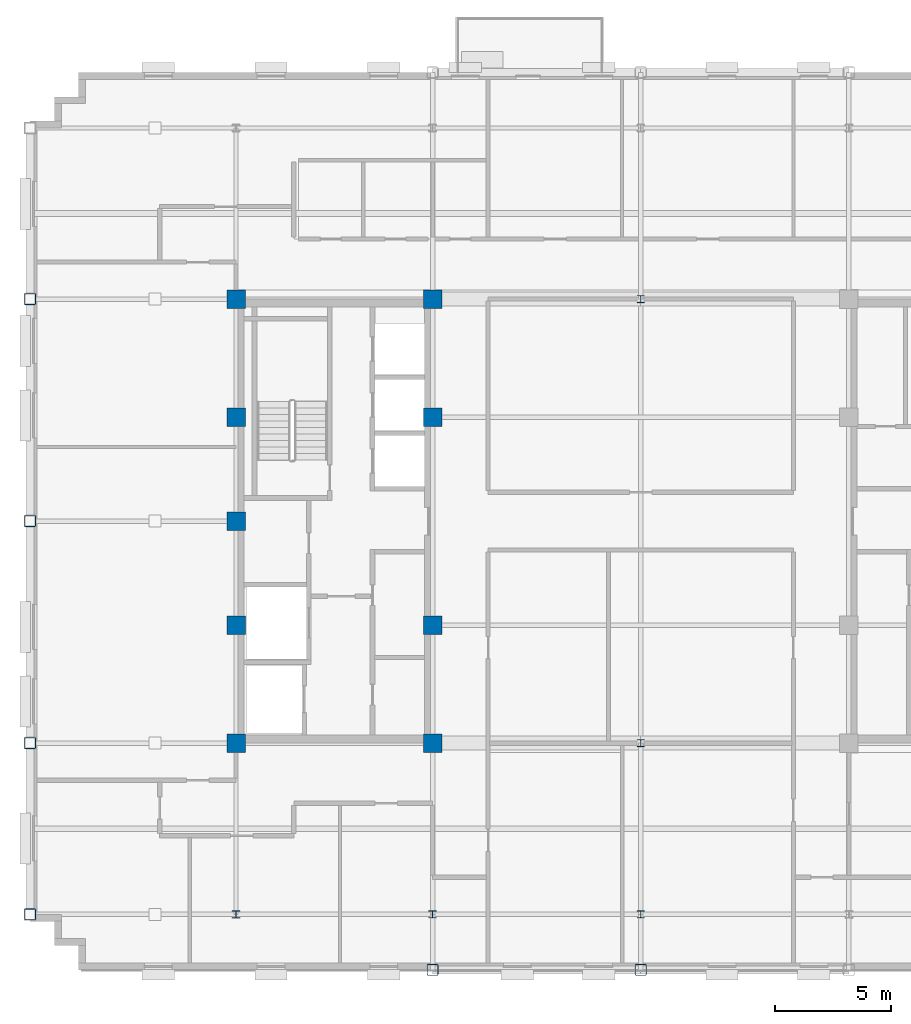
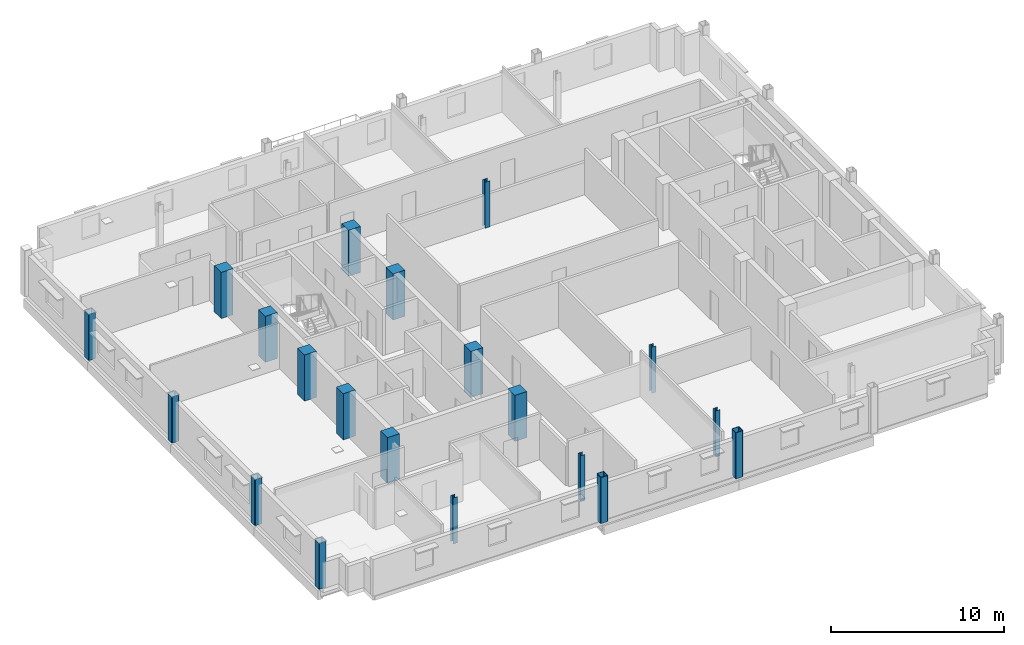
# One storey, part 1 of 14: 20 columns.
"""IFC4 building model written with IfcOpenShell, lengths in metres."""

from ifc_helpers import new_model, si_unit, direction, frame, origin, origin_2d, place, context, subcontext, project, spatial, rectangle, hollow_rectangle, i_section, extrude, material, material_profile, profile_set, type_object, element, save


model = new_model("IFC4")

# Units and contexts
model_context = context("Model", 3, precision=1e-05, world=origin(), true_north=direction((0.0, 1.0)))
body_context = subcontext(model_context, "Body", "Model", "MODEL_VIEW")
ifc_project = project(units=[si_unit("LENGTHUNIT", "METRE"), si_unit("AREAUNIT", "SQUARE_METRE"), si_unit("VOLUMEUNIT", "CUBIC_METRE"), si_unit("PLANEANGLEUNIT", "RADIAN"), si_unit("MASSUNIT", "GRAM", prefix="KILO")], contexts=[model_context])

# Site, building, storey
site_placement = place(None, origin())
site = spatial("IfcSite", under=ifc_project, at=site_placement, CompositionType="ELEMENT")
building_placement = place(site_placement, origin())
building = spatial("IfcBuilding", under=site, at=building_placement, Name="Nuvemarco Arch Tower", CompositionType="ELEMENT")
storey_placement = place(building_placement, frame((0.0, 0.0, 242.0)))
storey = spatial("IfcBuildingStorey", under=building, at=storey_placement, Name="L64", CompositionType="ELEMENT", Elevation=242.0)

# Columns
ifc_material_1 = material(Name="Concrete C50/60", Category="concrete")
ifc_material_profile_1 = material_profile(ifc_material_1, rectangle(XDim=0.800048828125, YDim=0.800048828125, at=origin_2d()), Name="RC-COL-800x800")
ifc_profile_set_1 = profile_set([ifc_material_profile_1], Name="Concrete C50/60")
column_type_1 = type_object("IfcColumnType", Name="COL-CORE-800", PredefinedType="COLUMN", material=ifc_profile_set_1)
for number, where, z_axis, x_axis, name in (
    (1, (-17.5, -9.60009765625, 0.0), (0.0, 0.0, 1.0), (1.0, 0.0, 0.0), "L64 column CC_-17.5_-9.6"),
    (2, (-17.5, -4.5, 0.0), (0.0, 0.0, 1.0), (1.0, 0.0, 0.0), "L64 column CC_-17.5_-4.5"),
    (3, (-17.5, 4.5, 0.0), (0.0, 0.0, 1.0), (1.0, 0.0, 0.0), "L64 column CC_-17.5_+4.5"),
    (4, (-17.5, 9.60009765625, 0.0), (0.0, 0.0, 1.0), (1.0, 0.0, 0.0), "L64 column CC_-17.5_+9.6"),
    (5, (-9.0, -9.60009765625, 0.0), (0.0, 0.0, 1.0), (1.0, 0.0, 0.0), "L64 column CC_-9.0_-9.6"),
    (6, (-9.0, -4.5, 0.0), (0.0, 0.0, 1.0), (1.0, 0.0, 0.0), "L64 column CC_-9.0_-4.5"),
    (7, (-9.0, 4.5, 0.0), (0.0, 0.0, 1.0), (1.0, 0.0, 0.0), "L64 column CC_-9.0_+4.5"),
    (8, (-9.0, 9.60009765625, 0.0), (0.0, 0.0, 1.0), (1.0, 0.0, 0.0), "L64 column CC_-9.0_+9.6"),
    (9, (-17.5, 0.0, 0.0), (0.0, 0.0, 1.0), (1.0, 0.0, 0.0), "L64 column CC_-17.5_+0.0"),
):
    element("IfcColumn", number, at=place(storey_placement, frame(where, z_axis=z_axis, x_axis=x_axis)), inside=storey, type_object=column_type_1, Name=name, PredefinedType="COLUMN", context=body_context, shape_type="SweptSolid", body=[
        extrude(rectangle(XDim=0.800048828125, YDim=0.800048828125, at=origin_2d()), origin(), (0.0, 0.0, 1.0), 3.25),
    ])
ifc_material_2 = material(Name="Steel S355", Category="steel")
ifc_material_profile_2 = material_profile(ifc_material_2, hollow_rectangle(XDim=0.5, YDim=0.5, WallThickness=0.031982421875, InnerFilletRadius=0.031982421875, OuterFilletRadius=0.06396484375, at=origin_2d()), Name="SHS500x500x32")
ifc_profile_set_2 = profile_set([ifc_material_profile_2], Name="Steel S355")
column_type_2 = type_object("IfcColumnType", Name="COL-EXO-500", PredefinedType="COLUMN", material=ifc_profile_set_2)
for number, where, z_axis, x_axis, name in (
    (10, (-26.39990234375, -17.0, 0.0), (0.0, 0.0, 1.0), (1.0, 0.0, 0.0), "L64 column CX_-26.4_-17.0"),
    (11, (-26.39990234375, -9.60009765625, 0.0), (0.0, 0.0, 1.0), (1.0, 0.0, 0.0), "L64 column CX_-26.4_-9.6"),
    (12, (-26.39990234375, 0.0, 0.0), (0.0, 0.0, 1.0), (1.0, 0.0, 0.0), "L64 column CX_-26.4_+0.0"),
    (13, (-26.39990234375, 9.60009765625, 0.0), (0.0, 0.0, 1.0), (1.0, 0.0, 0.0), "L64 column CX_-26.4_+9.6"),
    (14, (-9.0, -19.39990234375, 0.0), (0.0, 0.0, 1.0), (1.0, 0.0, 0.0), "L64 column CY_-9.0_-19.4"),
    (15, (0.0, -19.39990234375, 0.0), (0.0, 0.0, 1.0), (1.0, 0.0, 0.0), "L64 column CY_+0.0_-19.4"),
):
    element("IfcColumn", number, at=place(storey_placement, frame(where, z_axis=z_axis, x_axis=x_axis)), inside=storey, type_object=column_type_2, Name=name, PredefinedType="COLUMN", context=body_context, shape_type="SweptSolid", body=[
        extrude(hollow_rectangle(XDim=0.5, YDim=0.5, WallThickness=0.031982421875, InnerFilletRadius=0.031982421875, OuterFilletRadius=0.06396484375, at=origin_2d()), origin(), (0.0, 0.0, 1.0), 3.25),
    ])
ifc_material_profile_3 = material_profile(ifc_material_2, i_section(OverallWidth=0.31005859375, OverallDepth=0.31005859375, WebThickness=0.015380859375, FlangeThickness=0.015380859375, FilletRadius=0.014892578125, at=origin_2d()), Name="HP310x110")
ifc_profile_set_3 = profile_set([ifc_material_profile_3], Name="Steel S355")
column_type_3 = type_object("IfcColumnType", Name="COL-STL-HP310", PredefinedType="COLUMN", material=ifc_profile_set_3)
for number, where, z_axis, x_axis, name in (
    (16, (0.0, -17.0, 0.0), (0.0, 0.0, 1.0), (1.0, 0.0, 0.0), "L64 column CI_+0.0_-17.0"),
    (17, (0.0, -9.60009765625, 0.0), (0.0, 0.0, 1.0), (1.0, 0.0, 0.0), "L64 column CI_+0.0_-9.6"),
    (18, (0.0, 9.60009765625, 0.0), (0.0, 0.0, 1.0), (1.0, 0.0, 0.0), "L64 column CI_+0.0_+9.6"),
    (19, (-17.5, -17.0, 0.0), (0.0, 0.0, 1.0), (1.0, 0.0, 0.0), "L64 column CI_-17.5_-17.0"),
    (20, (-9.0, -17.0, 0.0), (0.0, 0.0, 1.0), (1.0, 0.0, 0.0), "L64 column CI_-9.0_-17.0"),
):
    element("IfcColumn", number, at=place(storey_placement, frame(where, z_axis=z_axis, x_axis=x_axis)), inside=storey, type_object=column_type_3, Name=name, PredefinedType="COLUMN", context=body_context, shape_type="SweptSolid", body=[
        extrude(i_section(OverallWidth=0.31005859375, OverallDepth=0.31005859375, WebThickness=0.015380859375, FlangeThickness=0.015380859375, FilletRadius=0.014892578125, at=origin_2d()), origin(), (0.0, 0.0, 1.0), 3.25),
    ])

save(model, "model.ifc")
